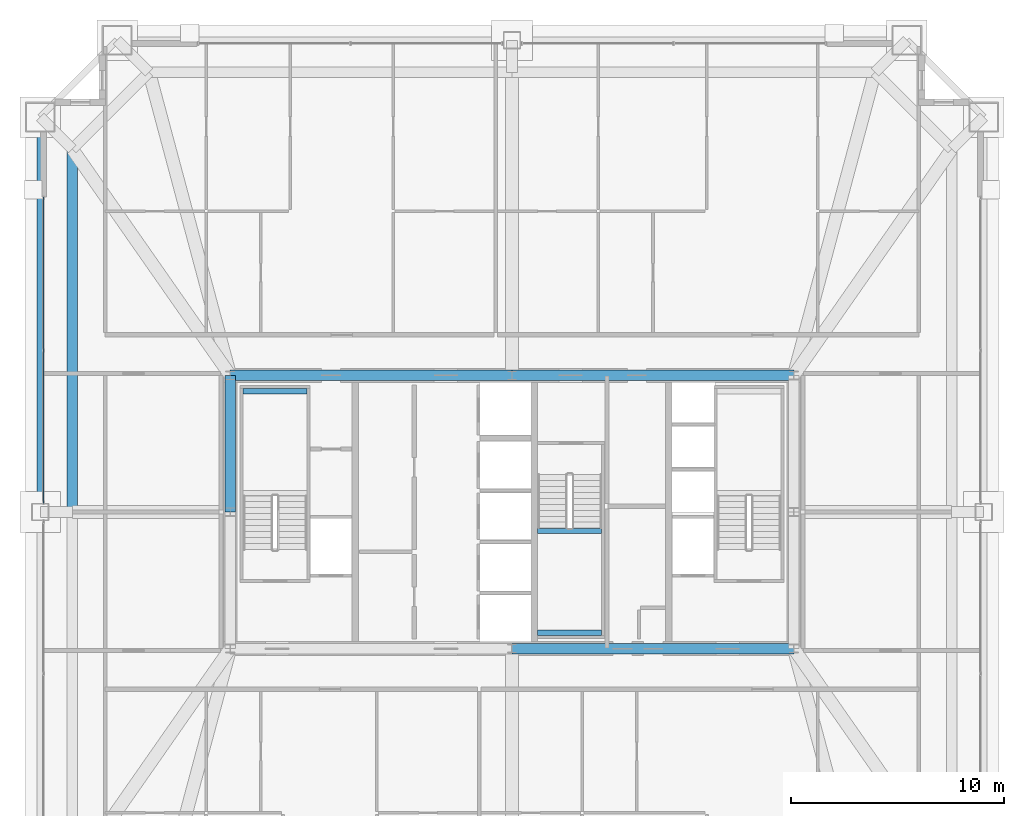
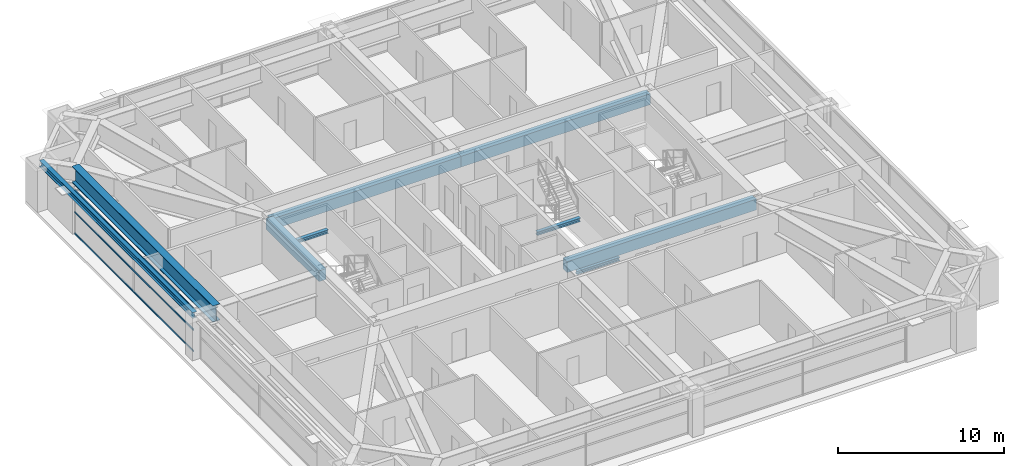
# One storey, part 15 of 39: 9 beams, 3 members, 1 element without a shape of its own.
"""IFC4 building model written with IfcOpenShell, lengths in metres."""

from ifc_helpers import new_model, si_unit, direction, frame, origin, origin_2d, place, context, subcontext, project, spatial, rectangle, hollow_rectangle, i_section, extrude, source, transform, mapped, material, layer, layer_set, material_profile, profile_set, type_object, element, aggregate, save


model = new_model("IFC4")

# Units and contexts
model_context = context("Model", 3, precision=1e-05, world=origin(), true_north=direction((0.0, 1.0)))
body_context = subcontext(model_context, "Body", "Model", "MODEL_VIEW")
ifc_project = project(units=[si_unit("LENGTHUNIT", "METRE"), si_unit("AREAUNIT", "SQUARE_METRE"), si_unit("VOLUMEUNIT", "CUBIC_METRE"), si_unit("PLANEANGLEUNIT", "RADIAN"), si_unit("MASSUNIT", "GRAM", prefix="KILO"), si_unit("THERMODYNAMICTEMPERATUREUNIT", "KELVIN"), si_unit("POWERUNIT", "WATT")], contexts=[model_context])

# Site, building, storey
site_placement = place(None, origin())
site = spatial("IfcSite", under=ifc_project, at=site_placement, CompositionType="ELEMENT")
building_placement = place(site_placement, origin())
building = spatial("IfcBuilding", under=site, at=building_placement, Name="Yuzanri Waterfront Tower", CompositionType="ELEMENT")
storey_placement = place(building_placement, frame((0.0, 0.0, 216.0)))
storey = spatial("IfcBuildingStorey", under=building, at=storey_placement, Name="L57", CompositionType="ELEMENT", Elevation=216.0)

# Beams
ifc_material_1 = material(Name="Steel Q355B", Category="steel")
ifc_material_profile_1 = material_profile(ifc_material_1, i_section(OverallWidth=0.300048828125, OverallDepth=0.43994140625, WebThickness=0.010986328125, FlangeThickness=0.01806640625, at=origin_2d()), Name="HM 440x300x11x18")
ifc_profile_set_1 = profile_set([ifc_material_profile_1], Name="Steel Q355B")
beam_type_1 = type_object("IfcBeamType", Name="Perimeter Spandrel Q355B HM 440x300", PredefinedType="SPANDREL", material=ifc_profile_set_1)
shared_shape_1 = source(origin(), body_context, "Body", "SweptSolid", [
    extrude(i_section(OverallWidth=0.300048828125, OverallDepth=0.43994140625, WebThickness=0.010986328125, FlangeThickness=0.01806640625, at=origin_2d()), origin(), (0.0, 0.0, 1.0), 18.5),
])
beam_1_placement = place(storey_placement, frame((14.89990234375, 44.300048828125, 3.0), z_axis=(0.0, -1.0, 0.0), x_axis=(1.0, 0.0, 0.0)))
element("IfcBeam", 1, at=beam_1_placement, inside=storey, type_object=beam_type_1, Name="L57 Perimeter Spandrel W3-W2", PredefinedType="SPANDREL", context=body_context, shape_type="MappedRepresentation", body=[
    mapped(shared_shape_1, transform((0.0, 0.0, 0.0), scale=1.0)),
])
ifc_material_2 = material(Name="Concrete C50", Category="concrete")
ifc_material_profile_2 = material_profile(ifc_material_2, rectangle(XDim=0.5, YDim=0.800048828125, at=origin_2d()), Name="RC 500x800")
ifc_profile_set_2 = profile_set([ifc_material_profile_2], Name="Concrete C50")
beam_type_2 = type_object("IfcBeamType", Name="Core Coupling Lintel Concrete C50 500x800", PredefinedType="LINTEL", material=ifc_profile_set_2)
shared_shape_2 = source(origin(), body_context, "Body", "SweptSolid", [
    extrude(rectangle(XDim=0.5, YDim=0.800048828125, at=origin_2d()), origin(), (0.0, 0.0, 1.0), 13.199951171875),
])
for number, where, z_axis, x_axis, name in (
    (2, (37.0, 19.39990234375, 2.820068359375), (1.0, 0.0, 0.0), (0.0, 1.0, 0.0), "L57 Core Tie Beam CS2"),
    (3, (23.800048828125, 32.199951171875, 2.820068359375), (1.0, 0.0, 0.0), (0.0, 1.0, 0.0), "L57 Core Tie Beam CN1"),
    (4, (37.0, 32.199951171875, 2.820068359375), (1.0, 0.0, 0.0), (0.0, 1.0, 0.0), "L57 Core Tie Beam CN2"),
):
    element("IfcBeam", number, at=place(storey_placement, frame(where, z_axis=z_axis, x_axis=x_axis)), inside=storey, type_object=beam_type_2, Name=name, PredefinedType="LINTEL", context=body_context, shape_type="MappedRepresentation", body=[
        mapped(shared_shape_2, transform((0.0, 0.0, 0.0), scale=1.0)),
    ])
shared_shape_3 = source(origin(), body_context, "Body", "SweptSolid", [
    extrude(rectangle(XDim=0.5, YDim=0.800048828125, at=origin_2d()), origin(), (0.0, 0.0, 1.0), 6.39990234375),
])
beam_2_placement = place(storey_placement, frame((23.800048828125, 25.800048828125, 2.820068359375), z_axis=(0.0, 1.0, 0.0), x_axis=(-1.0, 0.0, 0.0)))
element("IfcBeam", 5, at=beam_2_placement, inside=storey, type_object=beam_type_2, Name="L57 Core Tie Beam CW2", PredefinedType="LINTEL", context=body_context, shape_type="MappedRepresentation", body=[
    mapped(shared_shape_3, transform((0.0, 0.0, 0.0), scale=1.0)),
])
ifc_material_3 = material(Name="Steel Q420GJC", Category="steel")
ifc_material_profile_3 = material_profile(ifc_material_3, i_section(OverallWidth=0.5, OverallDepth=1.199951171875, WebThickness=0.028076171875, FlangeThickness=0.050048828125, at=origin_2d()), Name="PG 1200x500x28x50")
ifc_profile_set_3 = profile_set([ifc_material_profile_3], Name="Steel Q420GJC")
beam_type_3 = type_object("IfcBeamType", Name="Setback Transfer Girder Q420GJC PG 1200x500", PredefinedType="USERDEFINED", material=ifc_profile_set_3)
shared_shape_4 = source(origin(), body_context, "Body", "SweptSolid", [
    extrude(i_section(OverallWidth=0.5, OverallDepth=1.199951171875, WebThickness=0.028076171875, FlangeThickness=0.050048828125, at=origin_2d()), origin(), (0.0, 0.0, 1.0), 17.0),
])
beam_3_placement = place(storey_placement, frame((16.39990234375, 42.800048828125, 2.6201171875), z_axis=(0.0, -1.0, 0.0), x_axis=(1.0, 0.0, 0.0)))
element("IfcBeam", 6, at=beam_3_placement, inside=storey, type_object=beam_type_3, Name="L57 Setback Upper Ring W3-W2", ObjectType="GIRDER", PredefinedType="USERDEFINED", context=body_context, shape_type="MappedRepresentation", body=[
    mapped(shared_shape_4, transform((0.0, 0.0, 0.0), scale=1.0)),
])

# Curtain wall, members
ifc_material_4 = material(Name="Anodized Architectural Bronze", Category="metal")
ifc_layer = layer(ifc_material_4, 0.159912109375)
ifc_layer_set = layer_set([ifc_layer], Name="Anodized Architectural Bronze")
curtain_wall_type = type_object("IfcCurtainWallType", Name="Anodized Bronze Mid-Rise Residential Acoustic Unitized Curtain Wall 7200", PredefinedType="NOTDEFINED", material=ifc_layer_set)
curtain_wall_placement = place(storey_placement, origin())
curtain_wall = element("IfcCurtainWall", 7, at=curtain_wall_placement, inside=storey, type_object=curtain_wall_type, Name="L57 Curtain Wall CW-L57-WR", PredefinedType="NOTDEFINED")
ifc_material_5 = material(Name="Anodized Architectural Bronze", Category="metal")
ifc_material_profile_4 = material_profile(ifc_material_5, hollow_rectangle(XDim=0.06494140625, YDim=0.1201171875, WallThickness=0.00341796875, at=origin_2d()), Name="CWT 65x120")
ifc_profile_set_4 = profile_set([ifc_material_profile_4], Name="Anodized Architectural Bronze")
member_type = type_object("IfcMemberType", Name="Anodized Bronze Secondary Curtain-Wall Transom 65x120", PredefinedType="USERDEFINED", material=ifc_profile_set_4)
shared_shape_5 = source(origin(), body_context, "Body", "SweptSolid", [
    extrude(hollow_rectangle(XDim=0.06494140625, YDim=0.1201171875, WallThickness=0.00341796875, at=origin_2d()), origin(), (0.0, 0.0, 1.0), 14.35009765625),
])
member_1_placement = place(storey_placement, frame((15.050048828125, 26.199951171875, 0.050048828125), z_axis=(0.0, 1.0, 0.0), x_axis=(-1.0, 0.0, 0.0)))
member_1 = element("IfcMember", 8, at=member_1_placement, type_object=member_type, Name="CW-L57-WR Transom 1", ObjectType="TRANSOM", PredefinedType="USERDEFINED", context=body_context, shape_type="MappedRepresentation", body=[
    mapped(shared_shape_5, transform((0.0, 0.0, 0.0), scale=1.0)),
])
member_2_placement = place(storey_placement, frame((15.050048828125, 26.199951171875, 1.610107421875), z_axis=(0.0, 1.0, 0.0), x_axis=(-1.0, 0.0, 0.0)))
member_2 = element("IfcMember", 9, at=member_2_placement, type_object=member_type, Name="CW-L57-WR Transom 2", ObjectType="TRANSOM", PredefinedType="USERDEFINED", context=body_context, shape_type="MappedRepresentation", body=[
    mapped(shared_shape_5, transform((0.0, 0.0, 0.0), scale=1.0)),
])
member_3_placement = place(storey_placement, frame((15.050048828125, 26.199951171875, 3.169921875), z_axis=(0.0, 1.0, 0.0), x_axis=(-1.0, 0.0, 0.0)))
member_3 = element("IfcMember", 10, at=member_3_placement, type_object=member_type, Name="CW-L57-WR Transom 3", ObjectType="TRANSOM", PredefinedType="USERDEFINED", context=body_context, shape_type="MappedRepresentation", body=[
    mapped(shared_shape_5, transform((0.0, 0.0, 0.0), scale=1.0)),
])
aggregate(curtain_wall, [member_1, member_2, member_3])

# Beams
ifc_material_6 = material(Name="Steel Q355B", Category="steel")
ifc_material_profile_5 = material_profile(ifc_material_6, i_section(OverallWidth=0.25, OverallDepth=0.25, WebThickness=0.009033203125, FlangeThickness=0.013916015625, at=origin_2d()), Name="HW 250x250x9x14")
ifc_profile_set_5 = profile_set([ifc_material_profile_5], Name="Steel Q355B")
beam_type_4 = type_object("IfcBeamType", Name="Stair Landing Support Beam Q355B HW 250x250", PredefinedType="BEAM", material=ifc_profile_set_5)
shared_shape_6 = source(origin(), body_context, "Body", "SweptSolid", [
    extrude(i_section(OverallWidth=0.25, OverallDepth=0.25, WebThickness=0.009033203125, FlangeThickness=0.013916015625, at=origin_2d()), origin(), (0.0, 0.0, 1.0), 3.0),
])
for number, where, z_axis, x_axis, name in (
    (11, (24.39990234375, 31.449951171875, 1.425048828125), (1.0, 0.0, 0.0), (0.0, 1.0, 0.0), "L57 Stair Landing Support Beam ST-01-L57-L1-2"),
    (12, (38.199951171875, 20.14990234375, 1.425048828125), (1.0, 0.0, 0.0), (0.0, 1.0, 0.0), "L57 Stair Landing Support Beam ST-03-L57-L1-1"),
    (13, (38.199951171875, 24.909912109375, 1.425048828125), (1.0, 0.0, 0.0), (0.0, 1.0, 0.0), "L57 Stair Landing Support Beam ST-03-L57-L1-2"),
):
    element("IfcBeam", number, at=place(storey_placement, frame(where, z_axis=z_axis, x_axis=x_axis)), inside=storey, type_object=beam_type_4, Name=name, PredefinedType="BEAM", context=body_context, shape_type="MappedRepresentation", body=[
        mapped(shared_shape_6, transform((0.0, 0.0, 0.0), scale=1.0)),
    ])

save(model, "model.ifc")
